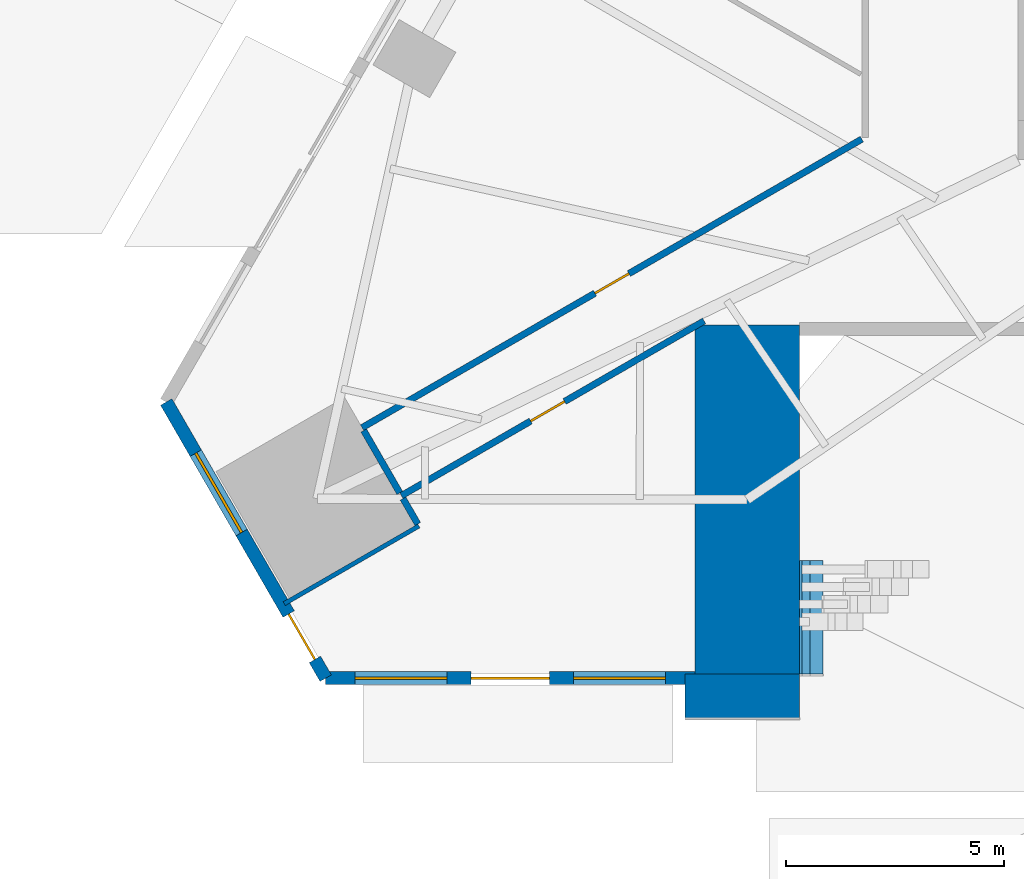
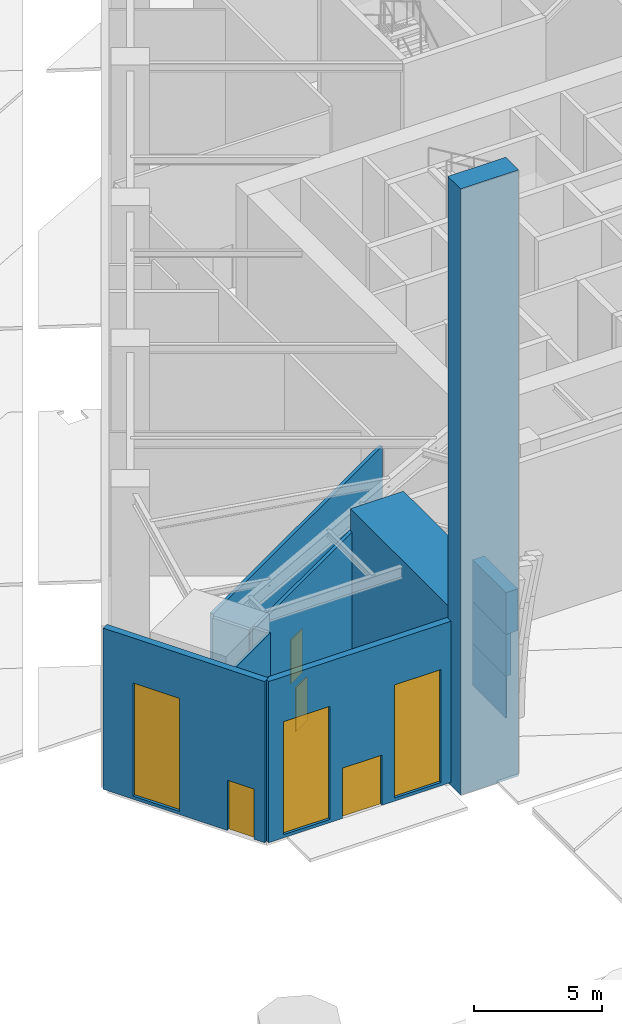
# One storey, part 8 of 34: 12 walls, 4 doors, 3 windows, 7 openings.
"""IFC4 building model written with IfcOpenShell, lengths in metres."""

from ifc_helpers import new_model, si_unit, direction, frame, frame_2d, origin, place, context, subcontext, project, spatial, rectangle, extrude, material, layer, layer_set, type_object, element, fill, save


model = new_model("IFC4")

# Units and contexts
model_context = context("Model", 3, precision=1e-05, world=origin(), true_north=direction((0.0, 1.0)))
body_context = subcontext(model_context, "Body", "Model", "MODEL_VIEW")
ifc_project = project(units=[si_unit("LENGTHUNIT", "METRE"), si_unit("AREAUNIT", "SQUARE_METRE"), si_unit("VOLUMEUNIT", "CUBIC_METRE"), si_unit("PLANEANGLEUNIT", "RADIAN"), si_unit("MASSUNIT", "GRAM", prefix="KILO")], contexts=[model_context])

# Site, building, storey
site_placement = place(None, origin())
site = spatial("IfcSite", under=ifc_project, at=site_placement, CompositionType="ELEMENT")
building_placement = place(site_placement, origin())
building = spatial("IfcBuilding", under=site, at=building_placement, Name="Firuza Gate Tower and Library", CompositionType="ELEMENT")
storey_placement = place(building_placement, origin())
storey = spatial("IfcBuildingStorey", under=building, at=storey_placement, Name="L00", CompositionType="ELEMENT", Elevation=0.0)

# Wall, opening, door
ifc_material_1 = material(Name="Gypsum board partition")
ifc_layer_1 = layer(ifc_material_1, 0.14990234375)
ifc_layer_set_1 = layer_set([ifc_layer_1], Name="Corridor wall 150 double board on steel studs")
wall_type_1 = type_object("IfcWallType", Name="Corridor wall 150 double board on steel studs", PredefinedType="PARTITIONING", material=ifc_layer_set_1)
wall_1_placement = place(storey_placement, frame((54.813720703125, 62.306396484375, 0.0), z_axis=(0.0, 0.0, 1.0), x_axis=(-0.866017985154, -0.500012849225, 0.0)))
wall_1 = element("IfcWall", 1, at=wall_1_placement, inside=storey, type_object=wall_type_1, Name="f:L00:w010", PredefinedType="PARTITIONING", context=body_context, shape_type="SweptSolid", body=[
    extrude(rectangle(XDim=8.005126953125, YDim=0.14990234375, at=frame_2d((4.00244140625, 0.0))), origin(), (0.0, 0.0, 1.0), 6.947021484375),
])
opening_1_placement = place(wall_1_placement, frame((3.6875, 0.0, 0.0)))
opening_1 = element("IfcOpeningElement", 2, at=opening_1_placement, cuts=wall_1, Name="Opening L00-06", PredefinedType="OPENING", context=body_context, shape_type="SweptSolid", body=[
    extrude(rectangle(XDim=0.89990234375, YDim=2.10009765625, at=frame_2d((0.449951171875, 1.050048828125))), frame((0.0, 0.0849609375, 0.0), z_axis=(0.0, -1.0, 0.0), x_axis=(1.0, 0.0, 0.0)), (0.0, 0.0, 1.0), 0.169921875),
])
ifc_material_2 = material(Name="Steel door and timber leaf", Category="steel")
door_type_1 = type_object("IfcDoorType", Name="Fire door 900 x 2100 steel frame, timber leaf", OperationType="NOTDEFINED", PredefinedType="DOOR", material=ifc_material_2)
door_1_placement = place(opening_1_placement, origin())
door_1 = element("IfcDoor", 3, at=door_1_placement, inside=storey, type_object=door_type_1, Name="f:L00:d006", OperationType="SINGLE_SWING_RIGHT", OverallHeight=2.10009765625, OverallWidth=0.89990234375, PredefinedType="DOOR", context=body_context, shape_type="SweptSolid", body=[
    extrude(rectangle(XDim=0.89990234375, YDim=2.10009765625, at=frame_2d((0.449951171875, 1.050048828125))), frame((0.0, 0.02490234375, 0.0), z_axis=(0.0, -1.0, 0.0), x_axis=(1.0, 0.0, 0.0)), (0.0, 0.0, 1.0), 0.050048828125),
])
fill(opening_1, door_1)

wall_2_placement = place(storey_placement, frame((46.9814453125, 59.86279296875, 0.0), z_axis=(0.0, 0.0, 1.0), x_axis=(0.866026517173, 0.499998071549, 0.0)))
wall_2 = element("IfcWall", 4, at=wall_2_placement, inside=storey, type_object=wall_type_1, Name="f:L00:w011", PredefinedType="PARTITIONING", context=body_context, shape_type="SweptSolid", body=[
    extrude(rectangle(XDim=13.2138671875, YDim=0.14990234375, at=frame_2d((6.60693359375, 0.0))), origin(), (0.0, 0.0, 1.0), 7.10009765625),
])
opening_2_placement = place(wall_2_placement, frame((6.156982421875, 0.0, 0.0)))
opening_2 = element("IfcOpeningElement", 5, at=opening_2_placement, cuts=wall_2, Name="Opening L00-07", PredefinedType="OPENING", context=body_context, shape_type="SweptSolid", body=[
    extrude(rectangle(XDim=0.89990234375, YDim=2.10009765625, at=frame_2d((0.449951171875, 1.050048828125))), frame((0.0, 0.0849609375, 0.0), z_axis=(0.0, -1.0, 0.0), x_axis=(1.0, 0.0, 0.0)), (0.0, 0.0, 1.0), 0.169921875),
])
door_2_placement = place(opening_2_placement, origin())
door_2 = element("IfcDoor", 6, at=door_2_placement, inside=storey, type_object=door_type_1, Name="f:L00:d007", OperationType="SINGLE_SWING_RIGHT", OverallHeight=2.10009765625, OverallWidth=0.89990234375, PredefinedType="DOOR", context=body_context, shape_type="SweptSolid", body=[
    extrude(rectangle(XDim=0.89990234375, YDim=2.10009765625, at=frame_2d((0.449951171875, 1.050048828125))), frame((0.0, 0.02490234375, 0.0), z_axis=(0.0, -1.0, 0.0), x_axis=(1.0, 0.0, 0.0)), (0.0, 0.0, 1.0), 0.050048828125),
])
fill(opening_2, door_2)

# Walls
wall_3_placement = place(storey_placement, frame((48.255859375, 57.654541015625, 0.0), z_axis=(0.0, 0.0, 1.0), x_axis=(-0.500108776725, 0.865962592404, 0.0)))
element("IfcWall", 7, at=wall_3_placement, inside=storey, type_object=wall_type_1, Name="f:L00:w028", PredefinedType="PARTITIONING", context=body_context, shape_type="SweptSolid", body=[
    extrude(rectangle(XDim=0.674560546875, YDim=0.14990234375, at=frame_2d((0.33740234375, 0.0))), origin(), (0.0, 0.0, 1.0), 7.10009765625),
])
wall_4_placement = place(storey_placement, frame((47.843505859375, 58.36865234375, 0.0), z_axis=(0.0, 0.0, 1.0), x_axis=(-0.499991515992, 0.866030301974, 0.0)))
element("IfcWall", 8, at=wall_4_placement, inside=storey, type_object=wall_type_1, Name="f:L00:w038", PredefinedType="PARTITIONING", context=body_context, shape_type="SweptSolid", body=[
    extrude(rectangle(XDim=1.6494140625, YDim=0.14990234375, at=frame_2d((0.82470703125, 0.0))), origin(), (0.0, 0.0, 1.0), 6.947021484375),
])
ifc_material_3 = material(Name="Concrete C80/95", Category="concrete")
ifc_layer_2 = layer(ifc_material_3, 2.39990234375)
ifc_layer_set_2 = layer_set([ifc_layer_2], Name="Iwan wall 2400 C80/95")
wall_type_2 = type_object("IfcWallType", Name="Iwan wall 2400 C80/95", PredefinedType="SHEAR", material=ifc_layer_set_2)
wall_5_placement = place(storey_placement, frame((55.800048828125, 54.21533203125, -0.300048828125), z_axis=(0.0, 0.0, 1.0), x_axis=(0.0, 1.0, 0.0)))
element("IfcWall", 9, at=wall_5_placement, inside=storey, type_object=wall_type_2, Name="Iwan wall W L00", PredefinedType="SHEAR", context=body_context, shape_type="SweptSolid", body=[
    extrude(rectangle(XDim=8.0, YDim=2.39990234375, at=frame_2d((4.0, 0.0))), origin(), (0.0, 0.0, 1.0), 8.300048828125),
])
ifc_material_4 = material(Name="Gypsum board partition")
ifc_layer_3 = layer(ifc_material_4, 0.10009765625)
ifc_layer_set_3 = layer_set([ifc_layer_3], Name="Partition 100 gypsum board on steel studs")
wall_type_3 = type_object("IfcWallType", Name="Partition 100 gypsum board on steel studs", PredefinedType="PARTITIONING", material=ifc_layer_set_3)
wall_6_placement = place(storey_placement, frame((45.197998046875, 55.830810546875, 0.0), z_axis=(0.0, 0.0, 1.0), x_axis=(0.866014251095, 0.500019316528, 0.0)))
element("IfcWall", 10, at=wall_6_placement, inside=storey, type_object=wall_type_3, Name="f:L00:w009", PredefinedType="PARTITIONING", context=body_context, shape_type="SweptSolid", body=[
    extrude(rectangle(XDim=3.559326171875, YDim=0.10009765625, at=frame_2d((1.77978515625, 0.0))), origin(), (0.0, 0.0, 1.0), 7.10009765625),
])
ifc_material_5 = material(Name="Concrete C40/50", Category="concrete")
ifc_layer_4 = layer(ifc_material_5, 1.0)
ifc_layer_set_4 = layer_set([ifc_layer_4], Name="Pishtaq frame wall 1000")
wall_type_4 = type_object("IfcWallType", Name="Pishtaq frame wall 1000", PredefinedType="SOLIDWALL", material=ifc_layer_set_4)
wall_7_placement = place(storey_placement, frame((54.3798828125, 53.71533203125, -0.14990234375), z_axis=(0.0, 0.0, 1.0), x_axis=(1.0, 0.0, 0.0)))
element("IfcWall", 11, at=wall_7_placement, inside=storey, type_object=wall_type_4, Name="Pishtaq frame pierw", PredefinedType="SOLIDWALL", context=body_context, shape_type="SweptSolid", body=[
    extrude(rectangle(XDim=2.6201171875, YDim=1.0, at=frame_2d((1.31005859375, 0.0))), origin(), (0.0, 0.0, 1.0), 28.949951171875),
])
ifc_material_6 = material(Name="Concrete C60/75", Category="concrete")
ifc_layer_5 = layer(ifc_material_6, 2.60009765625)
ifc_layer_set_5 = layer_set([ifc_layer_5], Name="Portal wall 2600 C60/75")
wall_type_5 = type_object("IfcWallType", Name="Portal wall 2600 C60/75", PredefinedType="SOLIDWALL", material=ifc_layer_set_5)
wall_8_placement = place(storey_placement, frame((57.0, 55.515380859375, 2.0), z_axis=(0.0, 0.0, 1.0), x_axis=(1.0, 0.0, 0.0)))
element("IfcWall", 12, at=wall_8_placement, inside=storey, type_object=wall_type_5, Name="Portal wall course 2", PredefinedType="SOLIDWALL", context=body_context, shape_type="SweptSolid", body=[
    extrude(rectangle(XDim=0.060791015625, YDim=2.60009765625, at=frame_2d((0.0302734375, 0.0))), origin(), (0.0, 0.0, 1.0), 2.0),
])
wall_9_placement = place(storey_placement, frame((57.0, 55.515380859375, 4.0), z_axis=(0.0, 0.0, 1.0), x_axis=(1.0, 0.0, 0.0)))
element("IfcWall", 13, at=wall_9_placement, inside=storey, type_object=wall_type_5, Name="Portal wall course 3", PredefinedType="SOLIDWALL", context=body_context, shape_type="SweptSolid", body=[
    extrude(rectangle(XDim=0.239990234375, YDim=2.60009765625, at=frame_2d((0.1201171875, 0.0))), origin(), (0.0, 0.0, 1.0), 2.0),
])
wall_10_placement = place(storey_placement, frame((57.0, 55.515380859375, 6.0), z_axis=(0.0, 0.0, 1.0), x_axis=(1.0, 0.0, 0.0)))
element("IfcWall", 14, at=wall_10_placement, inside=storey, type_object=wall_type_5, Name="Portal wall course 4", PredefinedType="SOLIDWALL", context=body_context, shape_type="SweptSolid", body=[
    extrude(rectangle(XDim=0.53955078125, YDim=2.60009765625, at=frame_2d((0.269775390625, 0.0))), origin(), (0.0, 0.0, 1.0), 2.0),
])

# Wall, openings, door, windows
ifc_material_7 = material(Name="Concrete C40/50", Category="concrete")
ifc_layer_6 = layer(ifc_material_7, 0.300048828125)
ifc_layer_set_6 = layer_set([ifc_layer_6], Name="Shopfront wall 300")
wall_type_6 = type_object("IfcWallType", Name="Shopfront wall 300", PredefinedType="SOLIDWALL", material=ifc_layer_set_6)
wall_11_placement = place(storey_placement, frame((46.14794921875, 54.12548828125, 0.0), z_axis=(0.0, 0.0, 1.0), x_axis=(1.0, 0.0, 0.0)))
wall_11 = element("IfcWall", 15, at=wall_11_placement, inside=storey, type_object=wall_type_6, Name="Shopfront wall 1", PredefinedType="SOLIDWALL", context=body_context, shape_type="SweptSolid", body=[
    extrude(rectangle(XDim=8.4521484375, YDim=0.300048828125, at=frame_2d((4.22607421875, 0.0))), origin(), (0.0, 0.0, 1.0), 7.699951171875),
])
opening_3_placement = place(wall_11_placement, frame((3.325927734375, 0.0, 0.0)))
opening_3 = element("IfcOpeningElement", 16, at=opening_3_placement, cuts=wall_11, Name="Opening DR3-001", PredefinedType="OPENING", context=body_context, shape_type="SweptSolid", body=[
    extrude(rectangle(XDim=1.800048828125, YDim=2.39990234375, at=frame_2d((0.89990234375, 1.199951171875))), frame((0.0, 0.16015625, 0.0), z_axis=(0.0, -1.0, 0.0), x_axis=(1.0, 0.0, 0.0)), (0.0, 0.0, 1.0), 0.320068359375),
])
opening_4_placement = place(wall_11_placement, frame((0.676025390625, 0.0, 0.14990234375)))
opening_4 = element("IfcOpeningElement", 17, at=opening_4_placement, cuts=wall_11, Name="Opening WD2-001", PredefinedType="OPENING", context=body_context, shape_type="SweptSolid", body=[
    extrude(rectangle(XDim=2.10009765625, YDim=5.39990234375, at=frame_2d((1.050048828125, 2.699951171875))), frame((0.0, 0.16015625, 0.0), z_axis=(0.0, -1.0, 0.0), x_axis=(1.0, 0.0, 0.0)), (0.0, 0.0, 1.0), 0.320068359375),
])
opening_5_placement = place(wall_11_placement, frame((5.676025390625, 0.0, 0.14990234375)))
opening_5 = element("IfcOpeningElement", 18, at=opening_5_placement, cuts=wall_11, Name="Opening WD2-002", PredefinedType="OPENING", context=body_context, shape_type="SweptSolid", body=[
    extrude(rectangle(XDim=2.10009765625, YDim=5.39990234375, at=frame_2d((1.050048828125, 2.699951171875))), frame((0.0, 0.16015625, 0.0), z_axis=(0.0, -1.0, 0.0), x_axis=(1.0, 0.0, 0.0)), (0.0, 0.0, 1.0), 0.320068359375),
])
ifc_material_8 = material(Name="Aluminium 6063-T6 and glass", Category="aluminium")
door_type_2 = type_object("IfcDoorType", Name="Double entrance door 1800x2400", OperationType="NOTDEFINED", PredefinedType="DOOR", material=ifc_material_8)
door_3_placement = place(opening_3_placement, origin())
door_3 = element("IfcDoor", 19, at=door_3_placement, inside=storey, type_object=door_type_2, Name="Door DR3-1.1", OperationType="DOUBLE_DOOR_SINGLE_SWING", OverallHeight=2.39990234375, OverallWidth=1.800048828125, PredefinedType="DOOR", context=body_context, shape_type="SweptSolid", body=[
    extrude(rectangle(XDim=1.800048828125, YDim=2.39990234375, at=frame_2d((0.89990234375, 1.199951171875))), frame((0.0, 0.02490234375, 0.0), z_axis=(0.0, -1.0, 0.0), x_axis=(1.0, 0.0, 0.0)), (0.0, 0.0, 1.0), 0.050048828125),
])
fill(opening_3, door_3)
ifc_material_9 = material(Name="Aluminium 6063-T6 and glass", Category="aluminium")
window_type = type_object("IfcWindowType", Name="Shopfront window 2100x5400", PartitioningType="SINGLE_PANEL", PredefinedType="WINDOW", material=ifc_material_9)
window_1_placement = place(opening_4_placement, origin())
window_1 = element("IfcWindow", 20, at=window_1_placement, inside=storey, type_object=window_type, Name="e:wall:L00:0/W0", OverallHeight=5.39990234375, OverallWidth=2.10009765625, PartitioningType="SINGLE_PANEL", PredefinedType="WINDOW", context=body_context, shape_type="SweptSolid", body=[
    extrude(rectangle(XDim=2.10009765625, YDim=5.39990234375, at=frame_2d((1.050048828125, 2.699951171875))), frame((0.0, 0.030029296875, 0.0), z_axis=(0.0, -1.0, 0.0), x_axis=(1.0, 0.0, 0.0)), (0.0, 0.0, 1.0), 0.06005859375),
])
fill(opening_4, window_1)
window_2_placement = place(opening_5_placement, origin())
window_2 = element("IfcWindow", 21, at=window_2_placement, inside=storey, type_object=window_type, Name="e:wall:L00:0/W1", OverallHeight=5.39990234375, OverallWidth=2.10009765625, PartitioningType="SINGLE_PANEL", PredefinedType="WINDOW", context=body_context, shape_type="SweptSolid", body=[
    extrude(rectangle(XDim=2.10009765625, YDim=5.39990234375, at=frame_2d((1.050048828125, 2.699951171875))), frame((0.0, 0.030029296875, 0.0), z_axis=(0.0, -1.0, 0.0), x_axis=(1.0, 0.0, 0.0)), (0.0, 0.0, 1.0), 0.06005859375),
])
fill(opening_5, window_2)

# Wall, openings, door, window
wall_12_placement = place(storey_placement, frame((42.49609375, 60.45068359375, 0.0), z_axis=(0.0, 0.0, 1.0), x_axis=(0.500000231294, -0.866025270247, 0.0)))
wall_12 = element("IfcWall", 22, at=wall_12_placement, inside=storey, type_object=wall_type_6, Name="Shopfront wall 10", PredefinedType="SOLIDWALL", context=body_context, shape_type="SweptSolid", body=[
    extrude(rectangle(XDim=7.3037109375, YDim=0.300048828125, at=frame_2d((3.65185546875, 0.0))), origin(), (0.0, 0.0, 1.0), 7.699951171875),
])
opening_6_placement = place(wall_12_placement, frame((5.6083984375, 0.0, 0.0)))
opening_6 = element("IfcOpeningElement", 23, at=opening_6_placement, cuts=wall_12, Name="Opening DR5-003", PredefinedType="OPENING", context=body_context, shape_type="SweptSolid", body=[
    extrude(rectangle(XDim=1.199951171875, YDim=2.39990234375, at=frame_2d((0.60009765625, 1.199951171875))), frame((0.0, 0.16015625, 0.0), z_axis=(0.0, -1.0, 0.0), x_axis=(1.0, 0.0, 0.0)), (0.0, 0.0, 1.0), 0.320068359375),
])
opening_7_placement = place(wall_12_placement, frame((1.35205078125, 0.0, 0.14990234375)))
opening_7 = element("IfcOpeningElement", 24, at=opening_7_placement, cuts=wall_12, Name="Opening WD2-049", PredefinedType="OPENING", context=body_context, shape_type="SweptSolid", body=[
    extrude(rectangle(XDim=2.10009765625, YDim=5.39990234375, at=frame_2d((1.050048828125, 2.699951171875))), frame((0.0, 0.16015625, 0.0), z_axis=(0.0, -1.0, 0.0), x_axis=(1.0, 0.0, 0.0)), (0.0, 0.0, 1.0), 0.320068359375),
])
ifc_material_10 = material(Name="Steel S355 and ceramic coating", Category="steel")
door_type_3 = type_object("IfcDoorType", Name="Exit door 1200x2400", OperationType="NOTDEFINED", PredefinedType="DOOR", material=ifc_material_10)
door_4_placement = place(opening_6_placement, origin())
door_4 = element("IfcDoor", 25, at=door_4_placement, inside=storey, type_object=door_type_3, Name="Door DR5-10.1", OperationType="SINGLE_SWING_RIGHT", OverallHeight=2.39990234375, OverallWidth=1.199951171875, PredefinedType="DOOR", context=body_context, shape_type="SweptSolid", body=[
    extrude(rectangle(XDim=1.199951171875, YDim=2.39990234375, at=frame_2d((0.60009765625, 1.199951171875))), frame((0.0, 0.02490234375, 0.0), z_axis=(0.0, -1.0, 0.0), x_axis=(1.0, 0.0, 0.0)), (0.0, 0.0, 1.0), 0.050048828125),
])
fill(opening_6, door_4)
window_3_placement = place(opening_7_placement, origin())
window_3 = element("IfcWindow", 26, at=window_3_placement, inside=storey, type_object=window_type, Name="e:wall:L00:9/W0", OverallHeight=5.39990234375, OverallWidth=2.10009765625, PartitioningType="SINGLE_PANEL", PredefinedType="WINDOW", context=body_context, shape_type="SweptSolid", body=[
    extrude(rectangle(XDim=2.10009765625, YDim=5.39990234375, at=frame_2d((1.050048828125, 2.699951171875))), frame((0.0, 0.030029296875, 0.0), z_axis=(0.0, -1.0, 0.0), x_axis=(1.0, 0.0, 0.0)), (0.0, 0.0, 1.0), 0.06005859375),
])
fill(opening_7, window_3)

save(model, "model.ifc")
